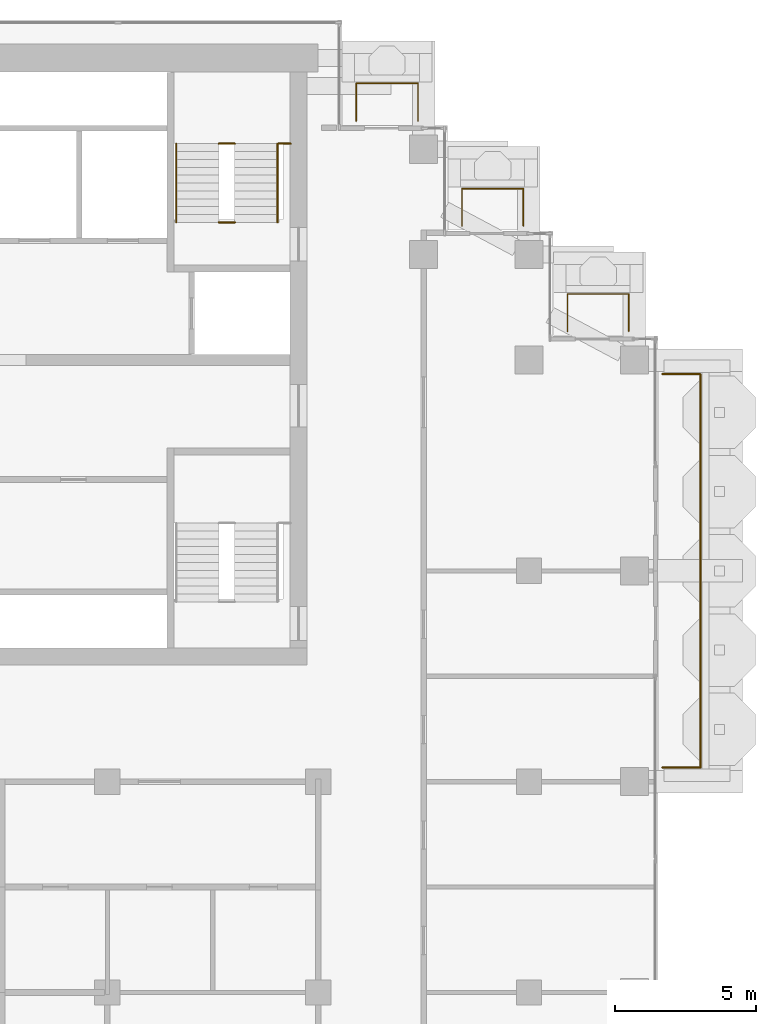
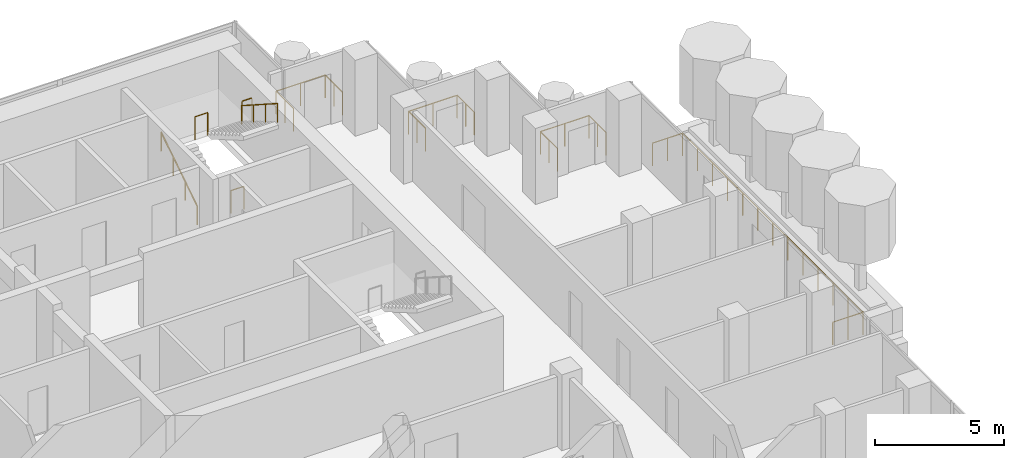
# One storey, part 18 of 19: 9 railings.
"""IFC4 building model written with IfcOpenShell, lengths in metres."""

from ifc_helpers import new_model, si_unit, direction, frame, origin, origin_2d, place, context, subcontext, project, spatial, circle, extrude, material, type_object, element, save


model = new_model("IFC4")

# Units and contexts
model_context = context("Model", 3, precision=1e-05, world=origin(), true_north=direction((0.0, 1.0)))
body_context = subcontext(model_context, "Body", "Model", "MODEL_VIEW")
ifc_project = project(units=[si_unit("LENGTHUNIT", "METRE"), si_unit("AREAUNIT", "SQUARE_METRE"), si_unit("VOLUMEUNIT", "CUBIC_METRE"), si_unit("PLANEANGLEUNIT", "RADIAN"), si_unit("MASSUNIT", "GRAM", prefix="KILO")], contexts=[model_context])

# Site, building, storey
site_placement = place(None, origin())
site = spatial("IfcSite", under=ifc_project, at=site_placement, CompositionType="ELEMENT")
building_placement = place(site_placement, origin())
building = spatial("IfcBuilding", under=site, at=building_placement, Name="Pilkhan Gate Tower", CompositionType="ELEMENT")
storey_placement = place(building_placement, frame((0.0, 0.0, 217.5)))
storey = spatial("IfcBuildingStorey", under=building, at=storey_placement, Name="L56", CompositionType="ELEMENT", Elevation=217.5)

# Railings
ifc_material_1 = material(Name="Pale anodised aluminium posts, laminated glass infill", Category="aluminium")
railing_type_1 = type_object("IfcRailingType", Name="Balcony guard G1", PredefinedType="BALUSTRADE", material=ifc_material_1)
railing_1_placement = place(storey_placement, frame((102.25, 68.0, 0.0)))
element("IfcRailing", 1, at=railing_1_placement, inside=storey, type_object=railing_type_1, Name="Balcony guard L56 E", PredefinedType="BALUSTRADE", context=body_context, shape_type="SweptSolid", body=[
    extrude(circle(Radius=0.02392578125, at=origin_2d()), frame((0.0, 0.0, 1.076171875), z_axis=(1.0, 0.0, 0.0), x_axis=(0.0, 1.0, 0.0)), (0.0, 0.0, 1.0), 1.35009765625),
    extrude(circle(Radius=0.02392578125, at=origin_2d()), frame((1.35009765625, 0.0, 1.076171875), z_axis=(0.0, 1.0, 0.0), x_axis=(-1.0, 0.0, 0.0)), (0.0, 0.0, 1.0), 14.0),
    extrude(circle(Radius=0.02392578125, at=origin_2d()), frame((1.35009765625, 14.0, 1.076171875), z_axis=(-1.0, 0.0, 0.0), x_axis=(0.0, -1.0, 0.0)), (0.0, 0.0, 1.0), 1.35009765625),
    extrude(circle(Radius=0.02099609375, at=origin_2d()), origin(), (0.0, 0.0, 1.0), 1.052001953125),
    extrude(circle(Radius=0.02099609375, at=origin_2d()), frame((0.675048828125, 0.0, 0.0)), (0.0, 0.0, 1.0), 1.052001953125),
    extrude(circle(Radius=0.02099609375, at=origin_2d()), frame((1.35009765625, 0.0, 0.0)), (0.0, 0.0, 1.0), 1.052001953125),
    extrude(circle(Radius=0.02099609375, at=origin_2d()), frame((1.35009765625, 1.166748046875, 0.0)), (0.0, 0.0, 1.0), 1.052001953125),
    extrude(circle(Radius=0.02099609375, at=origin_2d()), frame((1.35009765625, 2.333251953125, 0.0)), (0.0, 0.0, 1.0), 1.052001953125),
    extrude(circle(Radius=0.02099609375, at=origin_2d()), frame((1.35009765625, 3.5, 0.0)), (0.0, 0.0, 1.0), 1.052001953125),
    extrude(circle(Radius=0.02099609375, at=origin_2d()), frame((1.35009765625, 4.666748046875, 0.0)), (0.0, 0.0, 1.0), 1.052001953125),
    extrude(circle(Radius=0.02099609375, at=origin_2d()), frame((1.35009765625, 5.833251953125, 0.0)), (0.0, 0.0, 1.0), 1.052001953125),
    extrude(circle(Radius=0.02099609375, at=origin_2d()), frame((1.35009765625, 7.0, 0.0)), (0.0, 0.0, 1.0), 1.052001953125),
    extrude(circle(Radius=0.02099609375, at=origin_2d()), frame((1.35009765625, 8.166748046875, 0.0)), (0.0, 0.0, 1.0), 1.052001953125),
    extrude(circle(Radius=0.02099609375, at=origin_2d()), frame((1.35009765625, 9.333251953125, 0.0)), (0.0, 0.0, 1.0), 1.052001953125),
    extrude(circle(Radius=0.02099609375, at=origin_2d()), frame((1.35009765625, 10.5, 0.0)), (0.0, 0.0, 1.0), 1.052001953125),
    extrude(circle(Radius=0.02099609375, at=origin_2d()), frame((1.35009765625, 11.666748046875, 0.0)), (0.0, 0.0, 1.0), 1.052001953125),
    extrude(circle(Radius=0.02099609375, at=origin_2d()), frame((1.35009765625, 12.833251953125, 0.0)), (0.0, 0.0, 1.0), 1.052001953125),
    extrude(circle(Radius=0.02099609375, at=origin_2d()), frame((1.35009765625, 14.0, 0.0)), (0.0, 0.0, 1.0), 1.052001953125),
    extrude(circle(Radius=0.02099609375, at=origin_2d()), frame((0.675048828125, 14.0, 0.0)), (0.0, 0.0, 1.0), 1.052001953125),
    extrude(circle(Radius=0.02099609375, at=origin_2d()), frame((0.0, 14.0, 0.0)), (0.0, 0.0, 1.0), 1.052001953125),
])
railing_2_placement = place(storey_placement, frame((91.35009765625, 91.0, 0.0)))
element("IfcRailing", 2, at=railing_2_placement, inside=storey, type_object=railing_type_1, Name="Balcony guard L56 N", PredefinedType="BALUSTRADE", context=body_context, shape_type="SweptSolid", body=[
    extrude(circle(Radius=0.02392578125, at=origin_2d()), frame((0.0, 0.0, 1.076171875), z_axis=(0.0, 1.0, 0.0), x_axis=(-1.0, 0.0, 0.0)), (0.0, 0.0, 1.0), 1.35009765625),
    extrude(circle(Radius=0.02392578125, at=origin_2d()), frame((0.0, 1.35009765625, 1.076171875), z_axis=(1.0, 0.0, 0.0), x_axis=(0.0, 1.0, 0.0)), (0.0, 0.0, 1.0), 2.199951171875),
    extrude(circle(Radius=0.02392578125, at=origin_2d()), frame((2.199951171875, 1.35009765625, 1.076171875), z_axis=(0.0, -1.0, 0.0), x_axis=(1.0, 0.0, 0.0)), (0.0, 0.0, 1.0), 1.35009765625),
    extrude(circle(Radius=0.02099609375, at=origin_2d()), origin(), (0.0, 0.0, 1.0), 1.052001953125),
    extrude(circle(Radius=0.02099609375, at=origin_2d()), frame((0.0, 0.675048828125, 0.0)), (0.0, 0.0, 1.0), 1.052001953125),
    extrude(circle(Radius=0.02099609375, at=origin_2d()), frame((0.0, 1.35009765625, 0.0)), (0.0, 0.0, 1.0), 1.052001953125),
    extrude(circle(Radius=0.02099609375, at=origin_2d()), frame((1.10009765625, 1.35009765625, 0.0)), (0.0, 0.0, 1.0), 1.052001953125),
    extrude(circle(Radius=0.02099609375, at=origin_2d()), frame((2.199951171875, 1.35009765625, 0.0)), (0.0, 0.0, 1.0), 1.052001953125),
    extrude(circle(Radius=0.02099609375, at=origin_2d()), frame((2.199951171875, 0.675048828125, 0.0)), (0.0, 0.0, 1.0), 1.052001953125),
    extrude(circle(Radius=0.02099609375, at=origin_2d()), frame((2.199951171875, 0.0, 0.0)), (0.0, 0.0, 1.0), 1.052001953125),
])
for number, where, name in (
    (3, (95.1201171875, 87.27001953125, 0.0), "Balcony guard L56 N"),
    (4, (98.8701171875, 83.52001953125, 0.0), "Balcony guard L56 N"),
):
    element("IfcRailing", number, at=place(storey_placement, frame(where)), inside=storey, type_object=railing_type_1, Name=name, PredefinedType="BALUSTRADE", context=body_context, shape_type="SweptSolid", body=[
        extrude(circle(Radius=0.02392578125, at=origin_2d()), frame((0.0, 0.0, 1.076171875), z_axis=(0.0, 1.0, 0.0), x_axis=(-1.0, 0.0, 0.0)), (0.0, 0.0, 1.0), 1.330078125),
        extrude(circle(Radius=0.02392578125, at=origin_2d()), frame((0.0, 1.330078125, 1.076171875), z_axis=(1.0, 0.0, 0.0), x_axis=(0.0, 1.0, 0.0)), (0.0, 0.0, 1.0), 2.179931640625),
        extrude(circle(Radius=0.02392578125, at=origin_2d()), frame((2.179931640625, 1.330078125, 1.076171875), z_axis=(0.0, -1.0, 0.0), x_axis=(1.0, 0.0, 0.0)), (0.0, 0.0, 1.0), 1.330078125),
        extrude(circle(Radius=0.02099609375, at=origin_2d()), origin(), (0.0, 0.0, 1.0), 1.052001953125),
        extrude(circle(Radius=0.02099609375, at=origin_2d()), frame((0.0, 0.6650390625, 0.0)), (0.0, 0.0, 1.0), 1.052001953125),
        extrude(circle(Radius=0.02099609375, at=origin_2d()), frame((0.0, 1.330078125, 0.0)), (0.0, 0.0, 1.0), 1.052001953125),
        extrude(circle(Radius=0.02099609375, at=origin_2d()), frame((1.08984375, 1.330078125, 0.0)), (0.0, 0.0, 1.0), 1.052001953125),
        extrude(circle(Radius=0.02099609375, at=origin_2d()), frame((2.179931640625, 1.330078125, 0.0)), (0.0, 0.0, 1.0), 1.052001953125),
        extrude(circle(Radius=0.02099609375, at=origin_2d()), frame((2.179931640625, 0.6650390625, 0.0)), (0.0, 0.0, 1.0), 1.052001953125),
        extrude(circle(Radius=0.02099609375, at=origin_2d()), frame((2.179931640625, 0.0, 0.0)), (0.0, 0.0, 1.0), 1.052001953125),
    ])
ifc_material_2 = material(Name="Black powder-coated steel tube", Category="steel")
railing_type_2 = type_object("IfcRailingType", Name="Stair handrail HR1", PredefinedType="HANDRAIL", material=ifc_material_2)
railing_3_placement = place(storey_placement, frame((84.949951171875, 87.39990234375, 0.0)))
element("IfcRailing", 5, at=railing_3_placement, inside=storey, type_object=railing_type_2, Name="Stair ST4 handrail L56", PredefinedType="HANDRAIL", context=body_context, shape_type="SweptSolid", body=[
    extrude(circle(Radius=0.02392578125, at=origin_2d()), frame((0.0, 0.0, 0.8759765625), z_axis=(0.0, 0.841176092368, 0.540761298198), x_axis=(-1.0, 0.0, 0.0)), (0.0, 0.0, 1.0), 3.32861328125),
    extrude(circle(Radius=0.02099609375, at=origin_2d()), origin(), (0.0, 0.0, 1.0), 0.851806640625),
    extrude(circle(Radius=0.02099609375, at=origin_2d()), frame((0.0, 0.933349609375, 0.60009765625)), (0.0, 0.0, 1.0), 0.851806640625),
    extrude(circle(Radius=0.02099609375, at=origin_2d()), frame((0.0, 1.86669921875, 1.199951171875)), (0.0, 0.0, 1.0), 0.851806640625),
    extrude(circle(Radius=0.02099609375, at=origin_2d()), frame((0.0, 2.800048828125, 1.800048828125)), (0.0, 0.0, 1.0), 0.851806640625),
])
railing_4_placement = place(storey_placement, frame((88.550048828125, 90.199951171875, 1.800048828125)))
element("IfcRailing", 6, at=railing_4_placement, inside=storey, type_object=railing_type_2, Name="Stair ST4 handrail L56", PredefinedType="HANDRAIL", context=body_context, shape_type="SweptSolid", body=[
    extrude(circle(Radius=0.02392578125, at=origin_2d()), frame((0.0, 0.0, 0.8759765625), z_axis=(0.0, -0.841176092368, 0.540761298198), x_axis=(1.0, 0.0, 0.0)), (0.0, 0.0, 1.0), 3.32861328125),
    extrude(circle(Radius=0.02099609375, at=origin_2d()), origin(), (0.0, 0.0, 1.0), 0.851806640625),
    extrude(circle(Radius=0.02099609375, at=origin_2d()), frame((0.0, -0.933349609375, 0.60009765625)), (0.0, 0.0, 1.0), 0.851806640625),
    extrude(circle(Radius=0.02099609375, at=origin_2d()), frame((0.0, -1.86669921875, 1.199951171875)), (0.0, 0.0, 1.0), 0.851806640625),
    extrude(circle(Radius=0.02099609375, at=origin_2d()), frame((0.0, -2.800048828125, 1.800048828125)), (0.0, 0.0, 1.0), 0.851806640625),
])
ifc_material_3 = material(Name="Black powder-coated steel balusters", Category="steel")
railing_type_3 = type_object("IfcRailingType", Name="Stair well guard G3", PredefinedType="GUARDRAIL", material=ifc_material_3)
railing_5_placement = place(storey_placement, frame((88.580078125, 90.199951171875, 1.800048828125)))
element("IfcRailing", 7, at=railing_5_placement, inside=storey, type_object=railing_type_3, Name="Stair ST4 well guard L56", PredefinedType="GUARDRAIL", context=body_context, shape_type="SweptSolid", body=[
    extrude(circle(Radius=0.02392578125, at=origin_2d()), frame((0.0, 0.0, 1.076171875), z_axis=(1.0, 0.0, 0.0), x_axis=(0.0, 1.0, 0.0)), (0.0, 0.0, 1.0), 0.43994140625),
    extrude(circle(Radius=0.02099609375, at=origin_2d()), origin(), (0.0, 0.0, 1.0), 1.052001953125),
    extrude(circle(Radius=0.02099609375, at=origin_2d()), frame((0.43994140625, 0.0, 0.0)), (0.0, 0.0, 1.0), 1.052001953125),
])
for number, where, name in (
    (8, (86.4599609375, 87.39990234375, 0.0), "Stair ST4 well guard L56"),
    (9, (86.4599609375, 90.199951171875, 1.800048828125), "Stair ST4 well guard L56"),
):
    element("IfcRailing", number, at=place(storey_placement, frame(where)), inside=storey, type_object=railing_type_3, Name=name, PredefinedType="GUARDRAIL", context=body_context, shape_type="SweptSolid", body=[
        extrude(circle(Radius=0.02392578125, at=origin_2d()), frame((0.0, 0.0, 1.076171875), z_axis=(1.0, 0.0, 0.0), x_axis=(0.0, 1.0, 0.0)), (0.0, 0.0, 1.0), 0.580078125),
        extrude(circle(Radius=0.02099609375, at=origin_2d()), origin(), (0.0, 0.0, 1.0), 1.052001953125),
        extrude(circle(Radius=0.02099609375, at=origin_2d()), frame((0.580078125, 0.0, 0.0)), (0.0, 0.0, 1.0), 1.052001953125),
    ])

save(model, "model.ifc")
